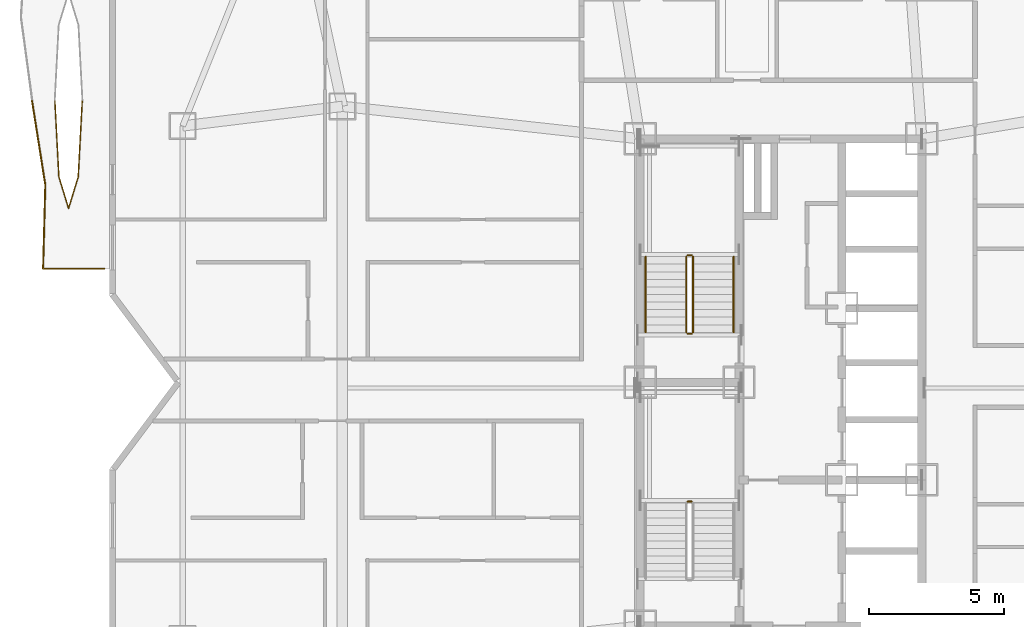
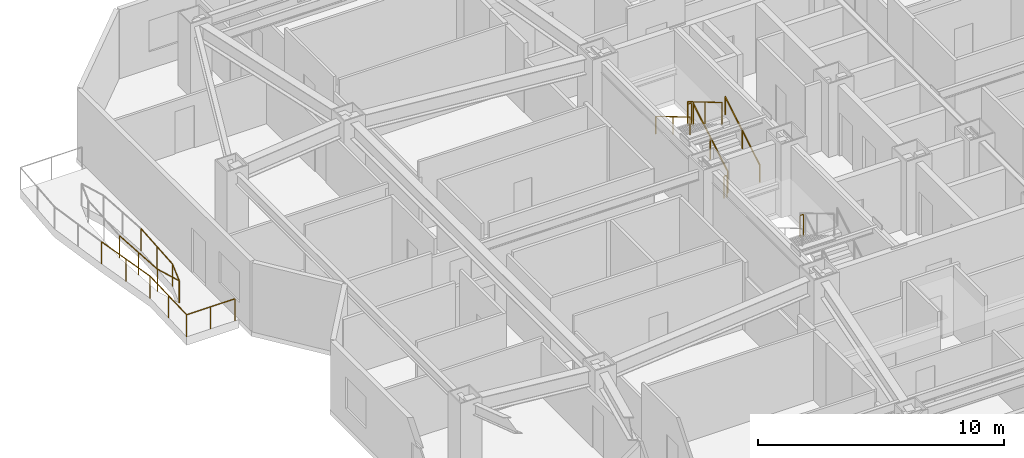
# One storey, part 14 of 15: 9 railings.
"""IFC4 building model written with IfcOpenShell, lengths in metres."""

import ifcopenshell
import ifcopenshell.guid

model = None  # the IFC model being written
_history = None  # IfcOwnerHistory: only IFC2X3 demands one
_inside = {}  # id of a spatial element -> (the spatial element, [elements in it])
_under = {}  # id of a project, library or spatial element -> (it, [spatial elements below it])
_declared = {}  # id of a project -> (the project, [libraries it declares])
_typed = {}  # id of a type object -> (the type object, [elements of that type])
_made_of = {}  # id of a material, layer set ... -> (it, [elements and type objects made of it])


def new_model(schema):
    """Start an empty IFC model of exactly this schema.

    Asked for "IFC4X3", IfcOpenShell would pick the latest addendum, in which some entities
    have other attributes; the version numbers below select the first issue.
    IFC2X3 requires an IfcOwnerHistory on every rooted entity: one is made here for all.
    """
    global model, _history
    if schema == "IFC4X3":
        model = ifcopenshell.file(schema_version=(4, 3, 0, 0))
    else:
        model = ifcopenshell.file(schema=schema)
    _inside.clear()
    _under.clear()
    _declared.clear()
    _typed.clear()
    _made_of.clear()
    _history = None
    if model.schema == "IFC2X3":
        org = make("IfcOrganization", Name="unknown")
        user = make(
            "IfcPersonAndOrganization",
            ThePerson=make("IfcPerson", FamilyName="unknown"),
            TheOrganization=org,
        )
        app = make(
            "IfcApplication",
            ApplicationDeveloper=org,
            Version="unknown",
            ApplicationFullName="unknown",
            ApplicationIdentifier="unknown",
        )
        _history = make(
            "IfcOwnerHistory",
            OwningUser=user,
            OwningApplication=app,
            ChangeAction="ADDED",
            CreationDate=0,
        )
    return model


def make(cls, **values):
    """One entity of the class cls with the attributes given. An attribute that is None is left unset."""
    return model.create_entity(
        cls, **{name: value for name, value in values.items() if value is not None}
    )


def rooted(cls, **values):
    """An entity with a GlobalId (a new one), such as an element, a storey or a relation."""
    return make(cls, GlobalId=ifcopenshell.guid.new(), OwnerHistory=_history, **values)


def si_unit(unit_type, name, prefix=None):
    """IfcSIUnit, for example si_unit("LENGTHUNIT", "METRE", prefix="MILLI")."""
    return make("IfcSIUnit", UnitType=unit_type, Prefix=prefix, Name=name)


def assignment(units):
    """IfcUnitAssignment: the units of a project."""
    return None if units is None else make("IfcUnitAssignment", Units=units)


def point(xyz):
    """IfcCartesianPoint."""
    return None if xyz is None else make("IfcCartesianPoint", Coordinates=xyz)


def direction(xyz):
    """IfcDirection."""
    return None if xyz is None else make("IfcDirection", DirectionRatios=xyz)


def frame(location, z_axis=None, x_axis=None):
    """IfcAxis2Placement3D, a coordinate frame: its origin and axes. An axis left out is left unset."""
    return make(
        "IfcAxis2Placement3D",
        Location=point(location),
        Axis=direction(z_axis),
        RefDirection=direction(x_axis),
    )


def frame_2d(location, x_axis=None):
    """IfcAxis2Placement2D, a coordinate frame in the plane: its origin and x axis."""
    return make(
        "IfcAxis2Placement2D", Location=point(location), RefDirection=direction(x_axis)
    )


def origin():
    """The frame at (0, 0, 0) with its axes left unset."""
    return frame((0.0, 0.0, 0.0))


def origin_2d():
    """The frame at (0, 0) in the plane with its x axis left unset."""
    return frame_2d((0.0, 0.0))


def place(relative_to, where):
    """IfcLocalPlacement: puts the frame where relative to a parent placement (None: the world)."""
    return make(
        "IfcLocalPlacement", PlacementRelTo=relative_to, RelativePlacement=where
    )


def context(
    kind, dimensions, precision=None, world=None, true_north=None, identifier=None
):
    """IfcGeometricRepresentationContext, for example the 3D "Model" context."""
    return make(
        "IfcGeometricRepresentationContext",
        ContextIdentifier=identifier,
        ContextType=kind,
        CoordinateSpaceDimension=dimensions,
        Precision=precision,
        WorldCoordinateSystem=world,
        TrueNorth=true_north,
    )


def subcontext(parent, identifier, kind, view, scale=None):
    """IfcGeometricRepresentationSubContext, for example "Body" below "Model"."""
    return make(
        "IfcGeometricRepresentationSubContext",
        ContextIdentifier=identifier,
        ContextType=kind,
        ParentContext=parent,
        TargetScale=scale,
        TargetView=view,
    )


def project(units=None, contexts=None):
    """IfcProject with its units and contexts."""
    return rooted(
        "IfcProject",
        Name="project",
        RepresentationContexts=contexts,
        UnitsInContext=assignment(units),
    )


def spatial(cls, under=None, at=None, **own):
    """A site, building, storey or space (cls), placed at a placement, below another one or the project."""
    s = rooted(cls, ObjectPlacement=at, **own)
    if under is not None:
        _under.setdefault(under.id(), (under, []))[1].append(s)
    return s


def profile(cls, at=None, kind="AREA", **sizes):
    """A parametric profile (cls). Its sizes go by their IFC names, for example OverallWidth=200.0."""
    return make(cls, ProfileType=kind, Position=at, **sizes)


def circle(**sizes):
    """IfcCircleProfileDef."""
    return profile("IfcCircleProfileDef", **sizes)


def extrude(swept, where, along, depth):
    """IfcExtrudedAreaSolid: the profile swept, set in the frame where, extruded along a direction by depth."""
    return make(
        "IfcExtrudedAreaSolid",
        SweptArea=swept,
        Position=where,
        ExtrudedDirection=direction(along),
        Depth=depth,
    )


def shape(context_of_items, identifier, shape_type, items):
    """IfcShapeRepresentation: the items that make up one representation, for example the "Body"."""
    return make(
        "IfcShapeRepresentation",
        ContextOfItems=context_of_items,
        RepresentationIdentifier=identifier,
        RepresentationType=shape_type,
        Items=items,
    )


def material(Name=None, Category=None):
    """IfcMaterial."""
    return make("IfcMaterial", Name=Name, Category=Category)


def made_of(thing, what):
    """Note that an element or type object is made of a material, layer set ...; save() writes the relation."""
    if what is not None:
        _made_of.setdefault(what.id(), (what, []))[1].append(thing)
    return thing


def type_object(cls, material=None, **own):
    """A type object (cls), such as IfcWallType, which elements share."""
    return made_of(rooted(cls, **own), material)


def element(
    cls,
    number,
    at=None,
    inside=None,
    cuts=None,
    type_object=None,
    material=None,
    context=None,
    identifier="Body",
    shape_type=None,
    held_by="IfcProductDefinitionShape",
    body=None,
    shapes=None,
    **own,
):
    """One element of the class cls, such as IfcWall. Its Tag is "e" and its number.

    at: its placement. inside: the storey or other place that contains it. cuts: it is an
    opening in that element (IfcRelVoidsElement). A single representation is given by context,
    identifier, shape_type and body (its items); several are given by shapes. held_by: the class
    of the entity that holds the representations. save() writes the other relations.
    """
    e = rooted(cls, Tag="e%d" % number, ObjectPlacement=at, **own)
    if body is not None:
        shapes = [shape(context, identifier, shape_type, body)]
    if shapes is not None:
        e.Representation = make(held_by, Representations=shapes)
    if inside is not None:
        _inside.setdefault(inside.id(), (inside, []))[1].append(e)
    if cuts is not None:
        rooted(
            "IfcRelVoidsElement", RelatingBuildingElement=cuts, RelatedOpeningElement=e
        )
    if type_object is not None:
        _typed.setdefault(type_object.id(), (type_object, []))[1].append(e)
    return made_of(e, material)


def aggregate(whole, parts):
    """IfcRelAggregates: a whole, such as a stair, and the parts it consists of."""
    return rooted("IfcRelAggregates", RelatingObject=whole, RelatedObjects=parts)


def save(model, path):
    """Write the relations noted so far, then the file.

    IfcRelAggregates (storeys below a building ...), IfcRelContainedInSpatialStructure (elements
    in a storey), IfcRelDefinesByType, IfcRelAssociatesMaterial and IfcRelDeclares: one each for
    every whole, place, type object, material and project.
    """
    for whole, parts in _under.values():
        aggregate(whole, parts)
    for where, things in _inside.values():
        rooted(
            "IfcRelContainedInSpatialStructure",
            RelatedElements=things,
            RelatingStructure=where,
        )
    for kind, things in _typed.values():
        rooted("IfcRelDefinesByType", RelatedObjects=things, RelatingType=kind)
    for what, things in _made_of.values():
        rooted("IfcRelAssociatesMaterial", RelatedObjects=things, RelatingMaterial=what)
    for by, libraries in _declared.values():
        rooted("IfcRelDeclares", RelatingContext=by, RelatedDefinitions=libraries)
    model.write(path)


model = new_model("IFC4")

# Units and contexts
model_context = context("Model", 3, precision=1e-05, world=origin(), true_north=direction((0.0, 1.0)))
body_context = subcontext(model_context, "Body", "Model", "MODEL_VIEW")
ifc_project = project(units=[si_unit("LENGTHUNIT", "METRE"), si_unit("AREAUNIT", "SQUARE_METRE"), si_unit("VOLUMEUNIT", "CUBIC_METRE"), si_unit("PLANEANGLEUNIT", "RADIAN"), si_unit("MASSUNIT", "GRAM", prefix="KILO")], contexts=[model_context])

# Site, building, storey
site_placement = place(None, origin())
site = spatial("IfcSite", under=ifc_project, at=site_placement, CompositionType="ELEMENT")
building_placement = place(site_placement, origin())
building = spatial("IfcBuilding", under=site, at=building_placement, Name="Khamvora Tower", CompositionType="ELEMENT")
storey_placement = place(building_placement, frame((0.0, 0.0, 101.89990234375)))
storey = spatial("IfcBuildingStorey", under=building, at=storey_placement, Name="L25", CompositionType="ELEMENT", Elevation=101.89990234375)

# Railings
ifc_material_1 = material(Name="Stainless Steel 316 and Laminated Glass", Category="steel")
railing_type_1 = type_object("IfcRailingType", Name="RAL-GAL-1120", PredefinedType="GUARDRAIL", material=ifc_material_1)
railing_1_placement = place(storey_placement, frame((9.199951171875, 32.199951171875, 0.0)))
element("IfcRailing", 1, at=railing_1_placement, inside=storey, type_object=railing_type_1, Name="L25 lens gallery south perimeter guardrail WL2", PredefinedType="GUARDRAIL", context=body_context, shape_type="SweptSolid", body=[
    extrude(circle(Radius=0.02392578125, at=origin_2d()), frame((0.0, 0.0, 1.09619140625), z_axis=(-1.0, 0.0, 0.0), x_axis=(0.0, -1.0, 0.0)), (0.0, 0.0, 1.0), 2.258056640625),
    extrude(circle(Radius=0.02392578125, at=origin_2d()), frame((-2.258056640625, 0.0, 1.09619140625), z_axis=(0.026451601196, 0.99965009518, 0.0), x_axis=(-0.99965009518, 0.026451601196, 0.0)), (0.0, 0.0, 1.0), 3.10107421875),
    extrude(circle(Radius=0.02392578125, at=origin_2d()), frame((-2.176025390625, 3.10009765625, 1.09619140625), z_axis=(-0.155826743206, 0.987784402641, 0.0), x_axis=(-0.987784402641, -0.155826743206, 0.0)), (0.0, 0.0, 1.0), 3.13818359375),
    extrude(circle(Radius=0.02099609375, at=origin_2d()), origin(), (0.0, 0.0, 1.0), 1.072021484375),
    extrude(circle(Radius=0.02099609375, at=origin_2d()), frame((-1.12890625, 0.0, 0.0)), (0.0, 0.0, 1.0), 1.072021484375),
    extrude(circle(Radius=0.02099609375, at=origin_2d()), frame((-2.258056640625, 0.0, 0.0)), (0.0, 0.0, 1.0), 1.072021484375),
    extrude(circle(Radius=0.02099609375, at=origin_2d()), frame((-2.217041015625, 1.550048828125, 0.0)), (0.0, 0.0, 1.0), 1.072021484375),
    extrude(circle(Radius=0.02099609375, at=origin_2d()), frame((-2.176025390625, 3.10009765625, 0.0)), (0.0, 0.0, 1.0), 1.072021484375),
    extrude(circle(Radius=0.02099609375, at=origin_2d()), frame((-2.42041015625, 4.64990234375, 0.0)), (0.0, 0.0, 1.0), 1.072021484375),
    extrude(circle(Radius=0.02099609375, at=origin_2d()), frame((-2.6650390625, 6.199951171875, 0.0)), (0.0, 0.0, 1.0), 1.072021484375),
])
railing_2_placement = place(storey_placement, frame((7.381103515625, 38.39990234375, 0.0)))
element("IfcRailing", 2, at=railing_2_placement, inside=storey, type_object=railing_type_1, Name="L25 lens gallery void guardrail WL2B", PredefinedType="GUARDRAIL", context=body_context, shape_type="SweptSolid", body=[
    extrude(circle(Radius=0.02392578125, at=origin_2d()), frame((0.0, 0.0, 1.09619140625), z_axis=(0.052654602562, -0.998612784231, 0.0), x_axis=(0.998612784231, 0.052654602562, 0.0)), (0.0, 0.0, 1.0), 2.809814453125),
    extrude(circle(Radius=0.02392578125, at=origin_2d()), frame((0.14794921875, -2.805908203125, 1.09619140625), z_axis=(0.292871691974, -0.956151751575, 0.0), x_axis=(0.956151751575, 0.292871691974, 0.0)), (0.0, 0.0, 1.0), 1.21533203125),
    extrude(circle(Radius=0.02392578125, at=origin_2d()), frame((0.50390625, -3.968017578125, 1.09619140625), z_axis=(0.292871691974, 0.956151751575, 0.0), x_axis=(-0.956151751575, 0.292871691974, 0.0)), (0.0, 0.0, 1.0), 1.21533203125),
    extrude(circle(Radius=0.02392578125, at=origin_2d()), frame((0.85986328125, -2.805908203125, 1.09619140625), z_axis=(0.052654602562, 0.998612784231, 0.0), x_axis=(-0.998612784231, 0.052654602562, 0.0)), (0.0, 0.0, 1.0), 2.809814453125),
    extrude(circle(Radius=0.02099609375, at=origin_2d()), origin(), (0.0, 0.0, 1.0), 1.072021484375),
    extrude(circle(Radius=0.02099609375, at=origin_2d()), frame((0.073974609375, -1.40283203125, 0.0)), (0.0, 0.0, 1.0), 1.072021484375),
    extrude(circle(Radius=0.02099609375, at=origin_2d()), frame((0.14794921875, -2.805908203125, 0.0)), (0.0, 0.0, 1.0), 1.072021484375),
    extrude(circle(Radius=0.02099609375, at=origin_2d()), frame((0.50390625, -3.968017578125, 0.0)), (0.0, 0.0, 1.0), 1.072021484375),
    extrude(circle(Radius=0.02099609375, at=origin_2d()), frame((0.85986328125, -2.805908203125, 0.0)), (0.0, 0.0, 1.0), 1.072021484375),
    extrude(circle(Radius=0.02099609375, at=origin_2d()), frame((0.933837890625, -1.40283203125, 0.0)), (0.0, 0.0, 1.0), 1.072021484375),
    extrude(circle(Radius=0.02099609375, at=origin_2d()), frame((1.0078125, 0.0, 0.0)), (0.0, 0.0, 1.0), 1.072021484375),
])
ifc_material_2 = material(Name="Brushed Stainless Steel 316", Category="steel")
railing_type_2 = type_object("IfcRailingType", Name="RAL-HDR-920", PredefinedType="HANDRAIL", material=ifc_material_2)
railing_3_placement = place(storey_placement, frame((32.449951171875, 29.85009765625, 0.166015625)))
element("IfcRailing", 3, at=railing_3_placement, inside=storey, type_object=railing_type_2, Name="L25 ST-02 stair handrail 1", PredefinedType="HANDRAIL", context=body_context, shape_type="SweptSolid", body=[
    extrude(circle(Radius=0.02392578125, at=origin_2d()), frame((0.0, 0.0, 0.8759765625), z_axis=(0.0, 0.860286659441, 0.509810615413), x_axis=(-1.0, 0.0, 0.0)), (0.0, 0.0, 1.0), 3.25439453125),
    extrude(circle(Radius=0.02099609375, at=origin_2d()), origin(), (0.0, 0.0, 1.0), 0.851806640625),
    extrude(circle(Radius=0.02099609375, at=origin_2d()), frame((0.0, 1.39990234375, 0.82958984375)), (0.0, 0.0, 1.0), 0.851806640625),
    extrude(circle(Radius=0.02099609375, at=origin_2d()), frame((0.0, 2.7998046875, 1.6591796875)), (0.0, 0.0, 1.0), 0.851806640625),
])
railing_4_placement = place(storey_placement, frame((29.199951171875, 32.64990234375, 1.990966796875)))
element("IfcRailing", 4, at=railing_4_placement, inside=storey, type_object=railing_type_2, Name="L25 ST-02 stair handrail 2", PredefinedType="HANDRAIL", context=body_context, shape_type="SweptSolid", body=[
    extrude(circle(Radius=0.02392578125, at=origin_2d()), frame((0.0, 0.0, 0.8759765625), z_axis=(0.0, -0.860286659441, 0.509810615413), x_axis=(1.0, 0.0, 0.0)), (0.0, 0.0, 1.0), 3.25439453125),
    extrude(circle(Radius=0.02099609375, at=origin_2d()), origin(), (0.0, 0.0, 1.0), 0.851806640625),
    extrude(circle(Radius=0.02099609375, at=origin_2d()), frame((0.0, -1.39990234375, 0.82958984375)), (0.0, 0.0, 1.0), 0.851806640625),
    extrude(circle(Radius=0.02099609375, at=origin_2d()), frame((0.0, -2.7998046875, 1.6591796875)), (0.0, 0.0, 1.0), 0.851806640625),
])
ifc_material_3 = material(Name="Stainless Steel 316", Category="steel")
railing_type_3 = type_object("IfcRailingType", Name="RAL-STG-1100", PredefinedType="GUARDRAIL", material=ifc_material_3)
railing_5_placement = place(storey_placement, frame((30.89990234375, 23.60009765625, 1.8251953125)))
element("IfcRailing", 5, at=railing_5_placement, inside=storey, type_object=railing_type_3, Name="L25 ST-01 stair guard 2", PredefinedType="GUARDRAIL", context=body_context, shape_type="SweptSolid", body=[
    extrude(circle(Radius=0.02392578125, at=origin_2d()), frame((0.0, 0.0, 1.076171875), z_axis=(-1.0, 0.0, 0.0), x_axis=(0.0, -1.0, 0.0)), (0.0, 0.0, 1.0), 0.14990234375),
    extrude(circle(Radius=0.02099609375, at=origin_2d()), origin(), (0.0, 0.0, 1.0), 1.052001953125),
    extrude(circle(Radius=0.02099609375, at=origin_2d()), frame((-0.14990234375, 0.0, 0.0)), (0.0, 0.0, 1.0), 1.052001953125),
])
railing_6_placement = place(storey_placement, frame((30.949951171875, 29.85009765625, 0.166015625)))
element("IfcRailing", 6, at=railing_6_placement, inside=storey, type_object=railing_type_3, Name="L25 ST-02 stair guard 1", PredefinedType="GUARDRAIL", context=body_context, shape_type="SweptSolid", body=[
    extrude(circle(Radius=0.02392578125, at=origin_2d()), frame((0.0, 0.0, 1.076171875), z_axis=(0.0, 0.860286659441, 0.509810615413), x_axis=(-1.0, 0.0, 0.0)), (0.0, 0.0, 1.0), 3.25439453125),
    extrude(circle(Radius=0.02099609375, at=origin_2d()), origin(), (0.0, 0.0, 1.0), 1.052001953125),
    extrude(circle(Radius=0.02099609375, at=origin_2d()), frame((0.0, 1.39990234375, 0.82958984375)), (0.0, 0.0, 1.0), 1.052001953125),
    extrude(circle(Radius=0.02099609375, at=origin_2d()), frame((0.0, 2.7998046875, 1.6591796875)), (0.0, 0.0, 1.0), 1.052001953125),
])
railing_7_placement = place(storey_placement, frame((30.89990234375, 32.699951171875, 1.8251953125)))
element("IfcRailing", 7, at=railing_7_placement, inside=storey, type_object=railing_type_3, Name="L25 ST-02 stair guard 2", PredefinedType="GUARDRAIL", context=body_context, shape_type="SweptSolid", body=[
    extrude(circle(Radius=0.02392578125, at=origin_2d()), frame((0.0, 0.0, 1.076171875), z_axis=(-1.0, 0.0, 0.0), x_axis=(0.0, -1.0, 0.0)), (0.0, 0.0, 1.0), 0.14990234375),
    extrude(circle(Radius=0.02099609375, at=origin_2d()), origin(), (0.0, 0.0, 1.0), 1.052001953125),
    extrude(circle(Radius=0.02099609375, at=origin_2d()), frame((-0.14990234375, 0.0, 0.0)), (0.0, 0.0, 1.0), 1.052001953125),
])
railing_8_placement = place(storey_placement, frame((30.699951171875, 32.64990234375, 1.990966796875)))
element("IfcRailing", 8, at=railing_8_placement, inside=storey, type_object=railing_type_3, Name="L25 ST-02 stair guard 3", PredefinedType="GUARDRAIL", context=body_context, shape_type="SweptSolid", body=[
    extrude(circle(Radius=0.02392578125, at=origin_2d()), frame((0.0, 0.0, 1.076171875), z_axis=(0.0, -0.860286659441, 0.509810615413), x_axis=(1.0, 0.0, 0.0)), (0.0, 0.0, 1.0), 3.25439453125),
    extrude(circle(Radius=0.02099609375, at=origin_2d()), origin(), (0.0, 0.0, 1.0), 1.052001953125),
    extrude(circle(Radius=0.02099609375, at=origin_2d()), frame((0.0, -1.39990234375, 0.82958984375)), (0.0, 0.0, 1.0), 1.052001953125),
    extrude(circle(Radius=0.02099609375, at=origin_2d()), frame((0.0, -2.7998046875, 1.6591796875)), (0.0, 0.0, 1.0), 1.052001953125),
])
railing_9_placement = place(storey_placement, frame((30.89990234375, 29.800048828125, 0.0)))
element("IfcRailing", 9, at=railing_9_placement, inside=storey, type_object=railing_type_3, Name="L25 ST-02 stair guard 4", PredefinedType="GUARDRAIL", context=body_context, shape_type="SweptSolid", body=[
    extrude(circle(Radius=0.02392578125, at=origin_2d()), frame((0.0, 0.0, 1.076171875), z_axis=(-1.0, 0.0, 0.0), x_axis=(0.0, -1.0, 0.0)), (0.0, 0.0, 1.0), 0.14990234375),
    extrude(circle(Radius=0.02099609375, at=origin_2d()), origin(), (0.0, 0.0, 1.0), 1.052001953125),
    extrude(circle(Radius=0.02099609375, at=origin_2d()), frame((-0.14990234375, 0.0, 0.0)), (0.0, 0.0, 1.0), 1.052001953125),
])

save(model, "model.ifc")
